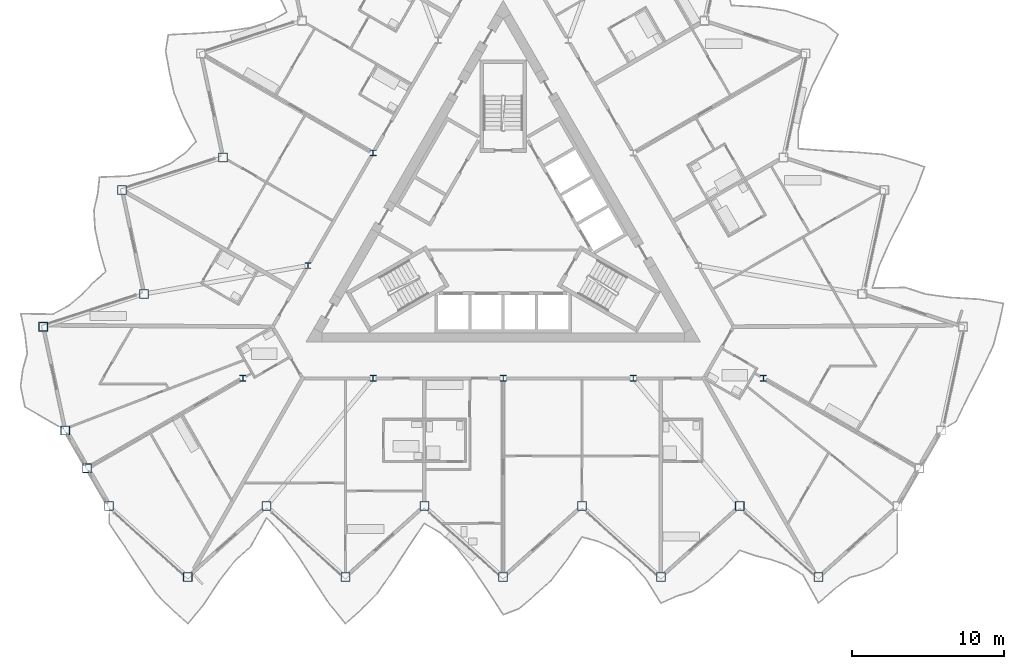
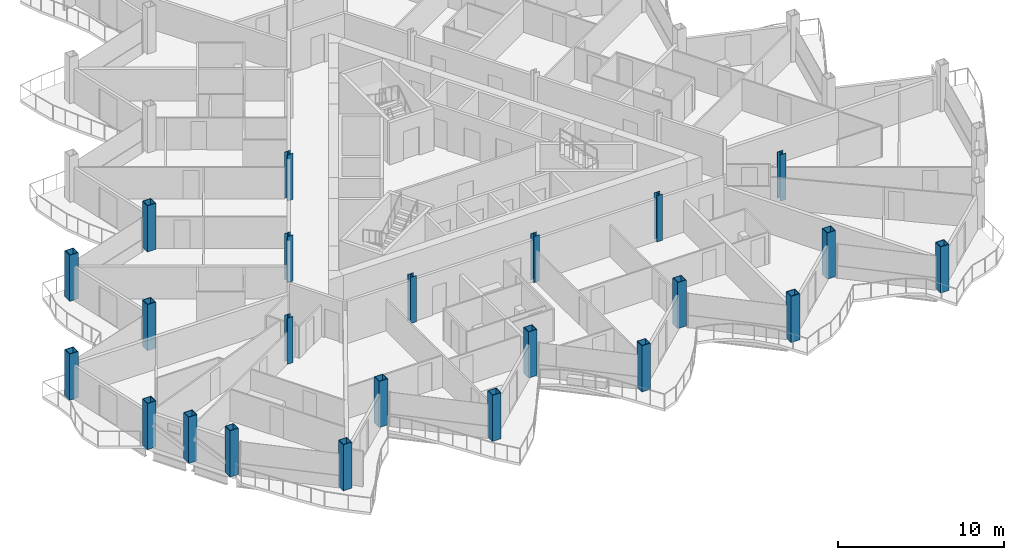
# One storey, part 1 of 26: 23 columns.
"""IFC4 building model written with IfcOpenShell, lengths in metres."""

from ifc_helpers import new_model, si_unit, direction, frame, origin, origin_2d, place, context, subcontext, project, spatial, hollow_rectangle, i_section, extrude, material, material_profile, profile_set, type_object, element, save


model = new_model("IFC4")

# Units and contexts
model_context = context("Model", 3, precision=1e-05, world=origin(), true_north=direction((0.0, 1.0)))
body_context = subcontext(model_context, "Body", "Model", "MODEL_VIEW")
ifc_project = project(units=[si_unit("LENGTHUNIT", "METRE"), si_unit("AREAUNIT", "SQUARE_METRE"), si_unit("VOLUMEUNIT", "CUBIC_METRE"), si_unit("PLANEANGLEUNIT", "RADIAN"), si_unit("MASSUNIT", "GRAM", prefix="KILO")], contexts=[model_context])

# Site, building, storey
site_placement = place(None, origin())
site = spatial("IfcSite", under=ifc_project, at=site_placement, CompositionType="ELEMENT")
building_placement = place(site_placement, origin())
building = spatial("IfcBuilding", under=site, at=building_placement, Name="Cormorant Prow Tower", CompositionType="ELEMENT")
storey_placement = place(building_placement, frame((0.0, 0.0, 339.199951171875)))
storey = spatial("IfcBuildingStorey", under=building, at=storey_placement, Name="L76", CompositionType="ELEMENT", Elevation=339.199951171875)

# Columns
ifc_material_1 = material(Name="Structural steel ASTM A572 Gr 50", Category="steel")
ifc_material_profile_1 = material_profile(ifc_material_1, hollow_rectangle(XDim=0.60009765625, YDim=0.60009765625, WallThickness=0.0400390625, at=origin_2d()), Name="Box 600x600x40")
ifc_profile_set_1 = profile_set([ifc_material_profile_1], Name="Structural steel ASTM A572 Gr 50")
column_type_1 = type_object("IfcColumnType", Name="Perimeter box column 600x600x40", PredefinedType="COLUMN", material=ifc_profile_set_1)
for number, where, z_axis, x_axis, name in (
    (1, (-25.995361328125, -18.326904296875, 0.0), (0.0, 0.0, 1.0), (1.0, 0.0, 0.0), "Perimeter column C6 at S00 L76"),
    (2, (-20.79638671875, -23.008056640625, 0.0), (0.0, 0.0, 1.0), (1.0, 0.0, 0.0), "Perimeter column C6 at S01 L76"),
    (3, (-15.59716796875, -18.326904296875, 0.0), (0.0, 0.0, 1.0), (1.0, 0.0, 0.0), "Perimeter column C6 at S02 L76"),
    (4, (-10.398193359375, -23.008056640625, 0.0), (0.0, 0.0, 1.0), (1.0, 0.0, 0.0), "Perimeter column C6 at S03 L76"),
    (5, (-5.198974609375, -18.326904296875, 0.0), (0.0, 0.0, 1.0), (1.0, 0.0, 0.0), "Perimeter column C6 at S04 L76"),
    (6, (0.0, -23.008056640625, 0.0), (0.0, 0.0, 1.0), (1.0, 0.0, 0.0), "Perimeter column C6 at S05 L76"),
    (7, (5.198974609375, -18.326904296875, 0.0), (0.0, 0.0, 1.0), (1.0, 0.0, 0.0), "Perimeter column C6 at S06 L76"),
    (8, (10.398193359375, -23.008056640625, 0.0), (0.0, 0.0, 1.0), (1.0, 0.0, 0.0), "Perimeter column C6 at S07 L76"),
    (9, (15.59716796875, -18.326904296875, 0.0), (0.0, 0.0, 1.0), (1.0, 0.0, 0.0), "Perimeter column C6 at S08 L76"),
    (10, (20.79638671875, -23.008056640625, 0.0), (0.0, 0.0, 1.0), (1.0, 0.0, 0.0), "Perimeter column C6 at S09 L76"),
    (11, (-18.470947265625, 4.660888671875, 0.0), (0.0, 0.0, 1.0), (1.0, 0.0, 0.0), "Perimeter column C6 at WNW06 L76"),
    (12, (-25.124755859375, 2.4990234375, 0.0), (0.0, 0.0, 1.0), (1.0, 0.0, 0.0), "Perimeter column C6 at WNW07 L76"),
    (13, (-23.670166015625, -4.34423828125, 0.0), (0.0, 0.0, 1.0), (1.0, 0.0, 0.0), "Perimeter column C6 at WNW08 L76"),
    (14, (-30.32373046875, -6.506103515625, 0.0), (0.0, 0.0, 1.0), (1.0, 0.0, 0.0), "Perimeter column C6 at WNW09 L76"),
    (15, (-28.869140625, -13.349365234375, 0.0), (0.0, 0.0, 1.0), (1.0, 0.0, 0.0), "Perimeter column C6 at WSW00 L76"),
    (16, (-27.432373046875, -15.838134765625, 0.0), (0.0, 0.0, 1.0), (1.0, 0.0, 0.0), "Perimeter column C6 at WSW01 L76"),
):
    element("IfcColumn", number, at=place(storey_placement, frame(where, z_axis=z_axis, x_axis=x_axis)), inside=storey, type_object=column_type_1, Name=name, PredefinedType="COLUMN", context=body_context, shape_type="SweptSolid", body=[
        extrude(hollow_rectangle(XDim=0.60009765625, YDim=0.60009765625, WallThickness=0.0400390625, at=origin_2d()), origin(), (0.0, 0.0, 1.0), 3.400146484375),
    ])
ifc_material_2 = material(Name="Structural steel ASTM A992 Gr 50", Category="steel")
ifc_material_profile_2 = material_profile(ifc_material_2, i_section(OverallWidth=0.3955078125, OverallDepth=0.380615234375, WebThickness=0.018798828125, FlangeThickness=0.0302734375, at=origin_2d()), Name="W14x159")
ifc_profile_set_2 = profile_set([ifc_material_profile_2], Name="Structural steel ASTM A992 Gr 50")
column_type_2 = type_object("IfcColumnType", Name="Ring column W14x159", PredefinedType="COLUMN", material=ifc_profile_set_2)
for number, where, z_axis, x_axis, name in (
    (17, (-8.578369140625, 4.952880859375, 0.0), (0.0, 0.0, 1.0), (1.0, 0.0, 0.0), "Ring column 3 L76"),
    (18, (-12.86767578125, -2.476318359375, 0.0), (0.0, 0.0, 1.0), (1.0, 0.0, 0.0), "Ring column 4 L76"),
    (19, (-17.156982421875, -9.905517578125, 0.0), (0.0, 0.0, 1.0), (1.0, 0.0, 0.0), "Ring column 5 L76"),
    (20, (-8.578369140625, -9.905517578125, 0.0), (0.0, 0.0, 1.0), (1.0, 0.0, 0.0), "Ring column 6 L76"),
    (21, (0.0, -9.905517578125, 0.0), (0.0, 0.0, 1.0), (1.0, 0.0, 0.0), "Ring column 7 L76"),
    (22, (8.578369140625, -9.905517578125, 0.0), (0.0, 0.0, 1.0), (1.0, 0.0, 0.0), "Ring column 8 L76"),
    (23, (17.156982421875, -9.905517578125, 0.0), (0.0, 0.0, 1.0), (1.0, 0.0, 0.0), "Ring column 9 L76"),
):
    element("IfcColumn", number, at=place(storey_placement, frame(where, z_axis=z_axis, x_axis=x_axis)), inside=storey, type_object=column_type_2, Name=name, PredefinedType="COLUMN", context=body_context, shape_type="SweptSolid", body=[
        extrude(i_section(OverallWidth=0.3955078125, OverallDepth=0.380615234375, WebThickness=0.018798828125, FlangeThickness=0.0302734375, at=origin_2d()), origin(), (0.0, 0.0, 1.0), 3.400146484375),
    ])

save(model, "model.ifc")
